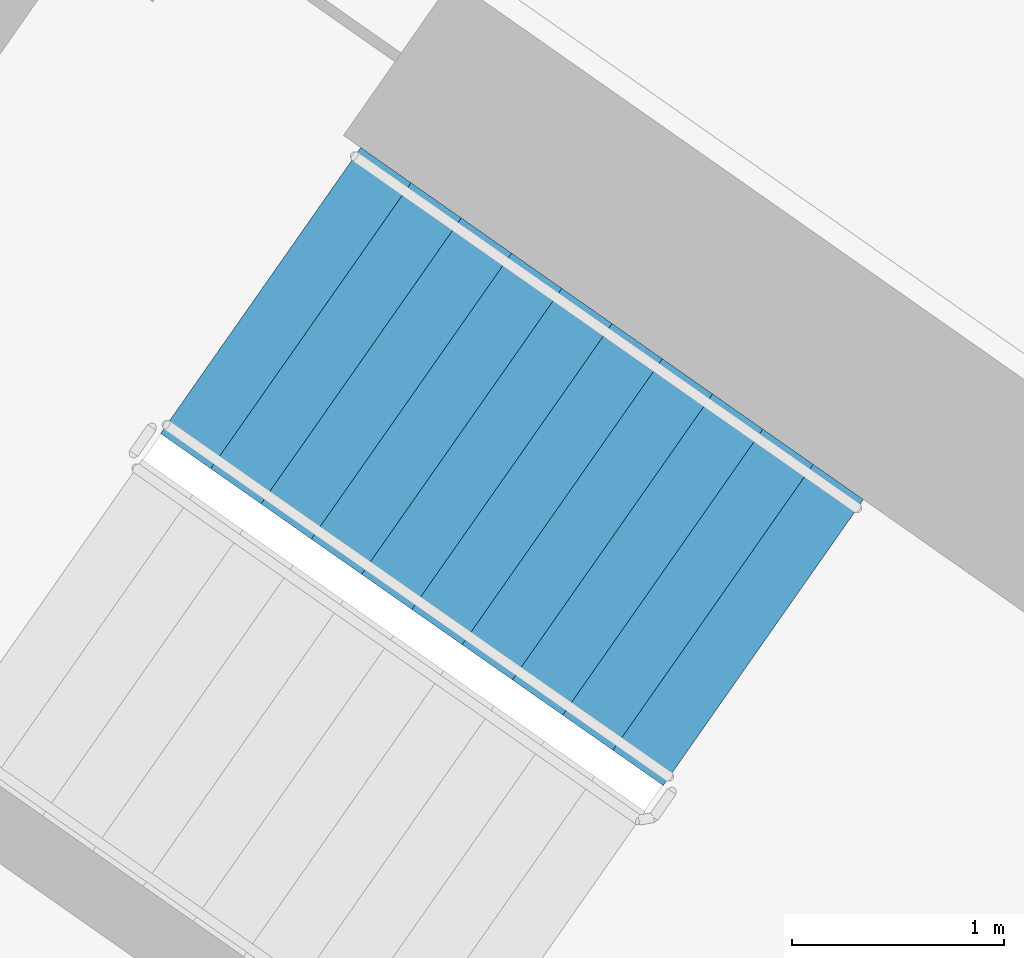
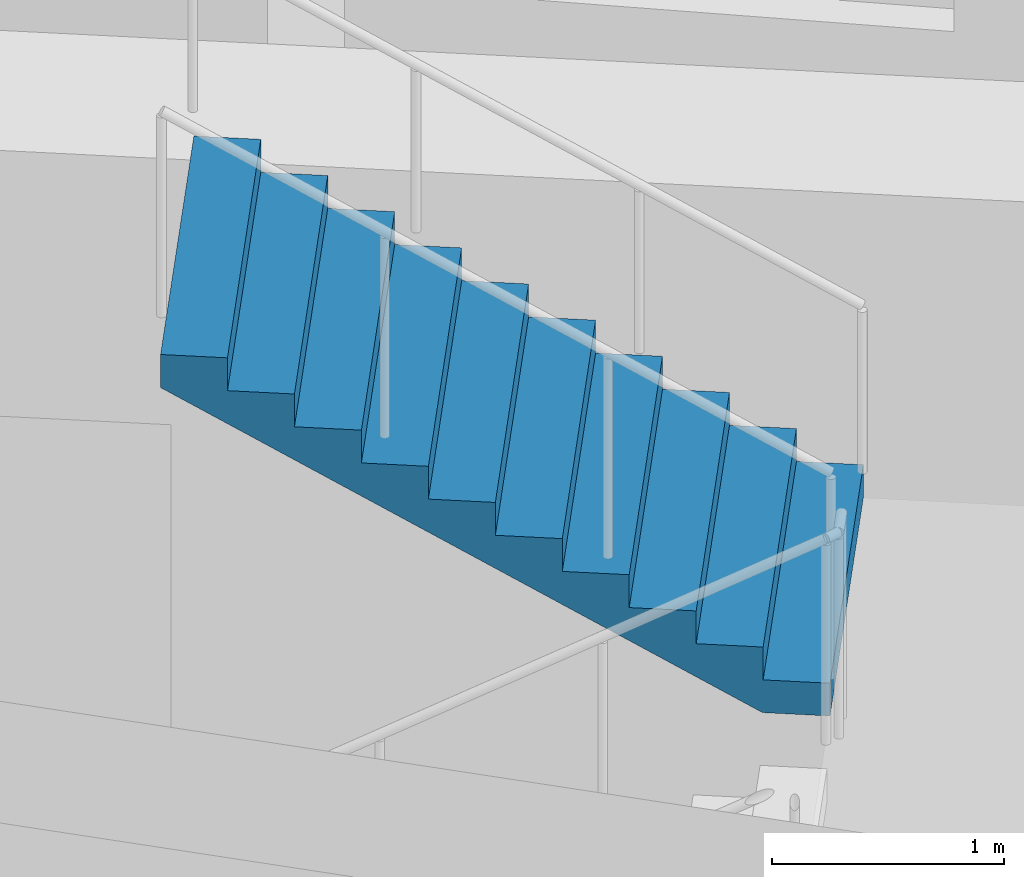
# One storey, part 15 of 32: 1 stair flight, 1 element without a shape of its own.
"""IFC4 building model written with IfcOpenShell, lengths in metres."""

from ifc_helpers import new_model, si_unit, direction, frame, origin, place, context, subcontext, project, spatial, faceted_brep, material, type_object, element, aggregate, save


model = new_model("IFC4")

# Units and contexts
model_context = context("Model", 3, precision=1e-05, world=origin(), true_north=direction((0.0, 1.0)))
body_context = subcontext(model_context, "Body", "Model", "MODEL_VIEW")
ifc_project = project(units=[si_unit("LENGTHUNIT", "METRE"), si_unit("AREAUNIT", "SQUARE_METRE"), si_unit("VOLUMEUNIT", "CUBIC_METRE"), si_unit("PLANEANGLEUNIT", "RADIAN"), si_unit("MASSUNIT", "GRAM", prefix="KILO")], contexts=[model_context])

# Site, building, storey
site_placement = place(None, origin())
site = spatial("IfcSite", under=ifc_project, at=site_placement, CompositionType="ELEMENT")
building_placement = place(site_placement, origin())
building = spatial("IfcBuilding", under=site, at=building_placement, Name="Qamariyya Broadcast Tower", CompositionType="ELEMENT")
storey_placement = place(building_placement, frame((0.0, 0.0, 70.89990234375)))
storey = spatial("IfcBuildingStorey", under=building, at=storey_placement, Name="L14", CompositionType="ELEMENT", Elevation=70.89990234375)

# Stair, stair flight
ifc_material = material(Name="Concrete C50/60", Category="concrete")
stair_type = type_object("IfcStairType", Name="Exit stair 22 risers of 173 mm", PredefinedType="HALF_TURN_STAIR", material=ifc_material)
stair_placement = place(storey_placement, origin())
stair = element("IfcStair", 1, at=stair_placement, inside=storey, type_object=stair_type, Name="L14 Stair W2", PredefinedType="HALF_TURN_STAIR")
stair_flight_type = type_object("IfcStairFlightType", Name="Exit stair flight 11 risers of 173 mm", PredefinedType="STRAIGHT", material=ifc_material)
stair_flight_placement = place(storey_placement, frame((-38.18310546875, -49.3486328125, 1.900146484375), z_axis=(0.0, 0.0, 1.0), x_axis=(-0.819152044289, 0.573576436351, 0.0)))
stair_flight = element("IfcStairFlight", 2, at=stair_flight_placement, type_object=stair_flight_type, Name="ST-W2 flight 2", NumberOfRisers=11, NumberOfTreads=10, PredefinedType="STRAIGHT", RiserHeight=0.172727273, TreadLength=0.29, context=body_context, shape_type="Brep", body=[
    faceted_brep([(0.0, 0.824951171875, 0.0), (0.0, 0.824951171875, 0.172607421875), (0.2900390625, 0.824951171875, 0.172607421875), (0.2900390625, 0.824951171875, 0.345458984375), (0.580078125, 0.824951171875, 0.345458984375), (0.580078125, 0.824951171875, 0.51806640625), (0.8701171875, 0.824951171875, 0.51806640625), (0.8701171875, 0.824951171875, 0.69091796875), (1.159912109375, 0.824951171875, 0.69091796875), (1.159912109375, 0.824951171875, 0.863525390625), (1.449951171875, 0.824951171875, 0.863525390625), (1.449951171875, 0.824951171875, 1.036376953125), (1.739990234375, 0.824951171875, 1.036376953125), (1.739990234375, 0.824951171875, 1.208984375), (2.030029296875, 0.824951171875, 1.208984375), (2.030029296875, 0.824951171875, 1.3818359375), (2.320068359375, 0.824951171875, 1.3818359375), (2.320068359375, 0.824951171875, 1.554443359375), (2.610107421875, 0.824951171875, 1.554443359375), (2.610107421875, 0.824951171875, 1.727294921875), (2.89990234375, 0.824951171875, 1.727294921875), (2.89990234375, 0.824951171875, 1.552734375), (0.29296875, 0.824951171875, 0.0), (0.29296875, -0.824951171875, 0.0), (2.89990234375, -0.824951171875, 1.552734375), (2.89990234375, -0.824951171875, 1.727294921875), (2.610107421875, -0.824951171875, 1.727294921875), (2.610107421875, -0.824951171875, 1.554443359375), (2.320068359375, -0.824951171875, 1.554443359375), (2.320068359375, -0.824951171875, 1.3818359375), (2.030029296875, -0.824951171875, 1.3818359375), (2.030029296875, -0.824951171875, 1.208984375), (1.739990234375, -0.824951171875, 1.208984375), (1.739990234375, -0.824951171875, 1.036376953125), (1.449951171875, -0.824951171875, 1.036376953125), (1.449951171875, -0.824951171875, 0.863525390625), (1.159912109375, -0.824951171875, 0.863525390625), (1.159912109375, -0.824951171875, 0.69091796875), (0.8701171875, -0.824951171875, 0.69091796875), (0.8701171875, -0.824951171875, 0.51806640625), (0.580078125, -0.824951171875, 0.51806640625), (0.580078125, -0.824951171875, 0.345458984375), (0.2900390625, -0.824951171875, 0.345458984375), (0.2900390625, -0.824951171875, 0.172607421875), (0.0, -0.824951171875, 0.172607421875), (0.0, -0.824951171875, 0.0), (0.0, 0.10009765625, 0.0), (0.0, 0.086669921875, 0.0), (0.0, 0.0732421875, 0.0), (0.0, 0.06005859375, 0.0), (0.0, 0.046630859375, 0.0), (0.0, 0.033447265625, 0.0), (0.0, 0.02001953125, 0.0), (0.0, 0.006591796875, 0.0), (0.0, -0.006591796875, 0.0), (0.0, -0.02001953125, 0.0), (0.0, -0.033447265625, 0.0), (0.0, -0.046630859375, 0.0), (0.0, -0.06005859375, 0.0), (0.0, -0.0732421875, 0.0), (0.0, -0.086669921875, 0.0), (0.0, -0.10009765625, 0.0), (0.0, -0.10009765625, 0.172607421875), (0.0, -0.086669921875, 0.172607421875), (0.0, -0.0732421875, 0.172607421875), (0.0, -0.06005859375, 0.172607421875), (0.0, -0.046630859375, 0.172607421875), (0.0, -0.033447265625, 0.172607421875), (0.0, -0.02001953125, 0.172607421875), (0.0, -0.006591796875, 0.172607421875), (0.0, 0.006591796875, 0.172607421875), (0.0, 0.02001953125, 0.172607421875), (0.0, 0.033447265625, 0.172607421875), (0.0, 0.046630859375, 0.172607421875), (0.0, 0.06005859375, 0.172607421875), (0.0, 0.0732421875, 0.172607421875), (0.0, 0.086669921875, 0.172607421875), (0.0, 0.10009765625, 0.172607421875), (0.2900390625, -0.10009765625, 0.172607421875), (0.2900390625, -0.086669921875, 0.172607421875), (0.2900390625, -0.0732421875, 0.172607421875), (0.2900390625, -0.06005859375, 0.172607421875), (0.2900390625, -0.046630859375, 0.172607421875), (0.2900390625, -0.033447265625, 0.172607421875), (0.2900390625, -0.02001953125, 0.172607421875), (0.2900390625, -0.006591796875, 0.172607421875), (0.2900390625, 0.006591796875, 0.172607421875), (0.2900390625, 0.02001953125, 0.172607421875), (0.2900390625, 0.033447265625, 0.172607421875), (0.2900390625, 0.046630859375, 0.172607421875), (0.2900390625, 0.06005859375, 0.172607421875), (0.2900390625, 0.0732421875, 0.172607421875), (0.2900390625, 0.086669921875, 0.172607421875), (0.2900390625, 0.10009765625, 0.172607421875), (0.2900390625, -0.10009765625, 0.345458984375), (0.2900390625, -0.086669921875, 0.345458984375), (0.2900390625, -0.0732421875, 0.345458984375), (0.2900390625, -0.06005859375, 0.345458984375), (0.2900390625, -0.046630859375, 0.345458984375), (0.2900390625, -0.033447265625, 0.345458984375), (0.2900390625, -0.02001953125, 0.345458984375), (0.2900390625, -0.006591796875, 0.345458984375), (0.2900390625, 0.006591796875, 0.345458984375), (0.2900390625, 0.02001953125, 0.345458984375), (0.2900390625, 0.033447265625, 0.345458984375), (0.2900390625, 0.046630859375, 0.345458984375), (0.2900390625, 0.06005859375, 0.345458984375), (0.2900390625, 0.0732421875, 0.345458984375), (0.2900390625, 0.086669921875, 0.345458984375), (0.2900390625, 0.10009765625, 0.345458984375), (0.580078125, -0.10009765625, 0.345458984375), (0.580078125, -0.086669921875, 0.345458984375), (0.580078125, -0.0732421875, 0.345458984375), (0.580078125, -0.06005859375, 0.345458984375), (0.580078125, -0.046630859375, 0.345458984375), (0.580078125, -0.033447265625, 0.345458984375), (0.580078125, -0.02001953125, 0.345458984375), (0.580078125, -0.006591796875, 0.345458984375), (0.580078125, 0.006591796875, 0.345458984375), (0.580078125, 0.02001953125, 0.345458984375), (0.580078125, 0.033447265625, 0.345458984375), (0.580078125, 0.046630859375, 0.345458984375), (0.580078125, 0.06005859375, 0.345458984375), (0.580078125, 0.0732421875, 0.345458984375), (0.580078125, 0.086669921875, 0.345458984375), (0.580078125, 0.10009765625, 0.345458984375), (0.580078125, -0.10009765625, 0.51806640625), (0.580078125, -0.086669921875, 0.51806640625), (0.580078125, -0.0732421875, 0.51806640625), (0.580078125, -0.06005859375, 0.51806640625), (0.580078125, -0.046630859375, 0.51806640625), (0.580078125, -0.033447265625, 0.51806640625), (0.580078125, -0.02001953125, 0.51806640625), (0.580078125, -0.006591796875, 0.51806640625), (0.580078125, 0.006591796875, 0.51806640625), (0.580078125, 0.02001953125, 0.51806640625), (0.580078125, 0.033447265625, 0.51806640625), (0.580078125, 0.046630859375, 0.51806640625), (0.580078125, 0.06005859375, 0.51806640625), (0.580078125, 0.0732421875, 0.51806640625), (0.580078125, 0.086669921875, 0.51806640625), (0.580078125, 0.10009765625, 0.51806640625), (0.8701171875, -0.10009765625, 0.51806640625), (0.8701171875, -0.086669921875, 0.51806640625), (0.8701171875, -0.0732421875, 0.51806640625), (0.8701171875, -0.06005859375, 0.51806640625), (0.8701171875, -0.046630859375, 0.51806640625), (0.8701171875, -0.033447265625, 0.51806640625), (0.8701171875, -0.02001953125, 0.51806640625), (0.8701171875, -0.006591796875, 0.51806640625), (0.8701171875, 0.006591796875, 0.51806640625), (0.8701171875, 0.02001953125, 0.51806640625), (0.8701171875, 0.033447265625, 0.51806640625), (0.8701171875, 0.046630859375, 0.51806640625), (0.8701171875, 0.06005859375, 0.51806640625), (0.8701171875, 0.0732421875, 0.51806640625), (0.8701171875, 0.086669921875, 0.51806640625), (0.8701171875, 0.10009765625, 0.51806640625), (0.8701171875, -0.10009765625, 0.69091796875), (0.8701171875, -0.086669921875, 0.69091796875), (0.8701171875, -0.0732421875, 0.69091796875), (0.8701171875, -0.06005859375, 0.69091796875), (0.8701171875, -0.046630859375, 0.69091796875), (0.8701171875, -0.033447265625, 0.69091796875), (0.8701171875, -0.02001953125, 0.69091796875), (0.8701171875, -0.006591796875, 0.69091796875), (0.8701171875, 0.006591796875, 0.69091796875), (0.8701171875, 0.02001953125, 0.69091796875), (0.8701171875, 0.033447265625, 0.69091796875), (0.8701171875, 0.046630859375, 0.69091796875), (0.8701171875, 0.06005859375, 0.69091796875), (0.8701171875, 0.0732421875, 0.69091796875), (0.8701171875, 0.086669921875, 0.69091796875), (0.8701171875, 0.10009765625, 0.69091796875), (1.159912109375, -0.10009765625, 0.69091796875), (1.159912109375, -0.086669921875, 0.69091796875), (1.159912109375, -0.0732421875, 0.69091796875), (1.159912109375, -0.06005859375, 0.69091796875), (1.159912109375, -0.046630859375, 0.69091796875), (1.159912109375, -0.033447265625, 0.69091796875), (1.159912109375, -0.02001953125, 0.69091796875), (1.159912109375, -0.006591796875, 0.69091796875), (1.159912109375, 0.006591796875, 0.69091796875), (1.159912109375, 0.02001953125, 0.69091796875), (1.159912109375, 0.033447265625, 0.69091796875), (1.159912109375, 0.046630859375, 0.69091796875), (1.159912109375, 0.06005859375, 0.69091796875), (1.159912109375, 0.0732421875, 0.69091796875), (1.159912109375, 0.086669921875, 0.69091796875), (1.159912109375, 0.10009765625, 0.69091796875), (1.159912109375, -0.10009765625, 0.863525390625), (1.159912109375, -0.086669921875, 0.863525390625), (1.159912109375, -0.0732421875, 0.863525390625), (1.159912109375, -0.06005859375, 0.863525390625), (1.159912109375, -0.046630859375, 0.863525390625), (1.159912109375, -0.033447265625, 0.863525390625), (1.159912109375, -0.02001953125, 0.863525390625), (1.159912109375, -0.006591796875, 0.863525390625), (1.159912109375, 0.006591796875, 0.863525390625), (1.159912109375, 0.02001953125, 0.863525390625), (1.159912109375, 0.033447265625, 0.863525390625), (1.159912109375, 0.046630859375, 0.863525390625), (1.159912109375, 0.06005859375, 0.863525390625), (1.159912109375, 0.0732421875, 0.863525390625), (1.159912109375, 0.086669921875, 0.863525390625), (1.159912109375, 0.10009765625, 0.863525390625), (1.449951171875, -0.10009765625, 0.863525390625), (1.449951171875, -0.086669921875, 0.863525390625), (1.449951171875, -0.0732421875, 0.863525390625), (1.449951171875, -0.06005859375, 0.863525390625), (1.449951171875, -0.046630859375, 0.863525390625), (1.449951171875, -0.033447265625, 0.863525390625), (1.449951171875, -0.02001953125, 0.863525390625), (1.449951171875, -0.006591796875, 0.863525390625), (1.449951171875, 0.006591796875, 0.863525390625), (1.449951171875, 0.02001953125, 0.863525390625), (1.449951171875, 0.033447265625, 0.863525390625), (1.449951171875, 0.046630859375, 0.863525390625), (1.449951171875, 0.06005859375, 0.863525390625), (1.449951171875, 0.0732421875, 0.863525390625), (1.449951171875, 0.086669921875, 0.863525390625), (1.449951171875, 0.10009765625, 0.863525390625), (1.449951171875, -0.10009765625, 1.036376953125), (1.449951171875, -0.086669921875, 1.036376953125), (1.449951171875, -0.0732421875, 1.036376953125), (1.449951171875, -0.06005859375, 1.036376953125), (1.449951171875, -0.046630859375, 1.036376953125), (1.449951171875, -0.033447265625, 1.036376953125), (1.449951171875, -0.02001953125, 1.036376953125), (1.449951171875, -0.006591796875, 1.036376953125), (1.449951171875, 0.006591796875, 1.036376953125), (1.449951171875, 0.02001953125, 1.036376953125), (1.449951171875, 0.033447265625, 1.036376953125), (1.449951171875, 0.046630859375, 1.036376953125), (1.449951171875, 0.06005859375, 1.036376953125), (1.449951171875, 0.0732421875, 1.036376953125), (1.449951171875, 0.086669921875, 1.036376953125), (1.449951171875, 0.10009765625, 1.036376953125), (1.739990234375, -0.10009765625, 1.036376953125), (1.739990234375, -0.086669921875, 1.036376953125), (1.739990234375, -0.0732421875, 1.036376953125), (1.739990234375, -0.06005859375, 1.036376953125), (1.739990234375, -0.046630859375, 1.036376953125), (1.739990234375, -0.033447265625, 1.036376953125), (1.739990234375, -0.02001953125, 1.036376953125), (1.739990234375, -0.006591796875, 1.036376953125), (1.739990234375, 0.006591796875, 1.036376953125), (1.739990234375, 0.02001953125, 1.036376953125), (1.739990234375, 0.033447265625, 1.036376953125), (1.739990234375, 0.046630859375, 1.036376953125), (1.739990234375, 0.06005859375, 1.036376953125), (1.739990234375, 0.0732421875, 1.036376953125), (1.739990234375, 0.086669921875, 1.036376953125), (1.739990234375, 0.10009765625, 1.036376953125), (1.739990234375, -0.10009765625, 1.208984375), (1.739990234375, -0.086669921875, 1.208984375), (1.739990234375, -0.0732421875, 1.208984375), (1.739990234375, -0.06005859375, 1.208984375), (1.739990234375, -0.046630859375, 1.208984375), (1.739990234375, -0.033447265625, 1.208984375), (1.739990234375, -0.02001953125, 1.208984375), (1.739990234375, -0.006591796875, 1.208984375), (1.739990234375, 0.006591796875, 1.208984375), (1.739990234375, 0.02001953125, 1.208984375), (1.739990234375, 0.033447265625, 1.208984375), (1.739990234375, 0.046630859375, 1.208984375), (1.739990234375, 0.06005859375, 1.208984375), (1.739990234375, 0.0732421875, 1.208984375), (1.739990234375, 0.086669921875, 1.208984375), (1.739990234375, 0.10009765625, 1.208984375), (2.030029296875, -0.10009765625, 1.208984375), (2.030029296875, -0.086669921875, 1.208984375), (2.030029296875, -0.0732421875, 1.208984375), (2.030029296875, -0.06005859375, 1.208984375), (2.030029296875, -0.046630859375, 1.208984375), (2.030029296875, -0.033447265625, 1.208984375), (2.030029296875, -0.02001953125, 1.208984375), (2.030029296875, -0.006591796875, 1.208984375), (2.030029296875, 0.006591796875, 1.208984375), (2.030029296875, 0.02001953125, 1.208984375), (2.030029296875, 0.033447265625, 1.208984375), (2.030029296875, 0.046630859375, 1.208984375), (2.030029296875, 0.06005859375, 1.208984375), (2.030029296875, 0.0732421875, 1.208984375), (2.030029296875, 0.086669921875, 1.208984375), (2.030029296875, 0.10009765625, 1.208984375), (2.030029296875, -0.10009765625, 1.3818359375), (2.030029296875, -0.086669921875, 1.3818359375), (2.030029296875, -0.0732421875, 1.3818359375), (2.030029296875, -0.06005859375, 1.3818359375), (2.030029296875, -0.046630859375, 1.3818359375), (2.030029296875, -0.033447265625, 1.3818359375), (2.030029296875, -0.02001953125, 1.3818359375), (2.030029296875, -0.006591796875, 1.3818359375), (2.030029296875, 0.006591796875, 1.3818359375), (2.030029296875, 0.02001953125, 1.3818359375), (2.030029296875, 0.033447265625, 1.3818359375), (2.030029296875, 0.046630859375, 1.3818359375), (2.030029296875, 0.06005859375, 1.3818359375), (2.030029296875, 0.0732421875, 1.3818359375), (2.030029296875, 0.086669921875, 1.3818359375), (2.030029296875, 0.10009765625, 1.3818359375), (2.320068359375, -0.10009765625, 1.3818359375), (2.320068359375, -0.086669921875, 1.3818359375), (2.320068359375, -0.0732421875, 1.3818359375), (2.320068359375, -0.06005859375, 1.3818359375), (2.320068359375, -0.046630859375, 1.3818359375), (2.320068359375, -0.033447265625, 1.3818359375), (2.320068359375, -0.02001953125, 1.3818359375), (2.320068359375, -0.006591796875, 1.3818359375), (2.320068359375, 0.006591796875, 1.3818359375), (2.320068359375, 0.02001953125, 1.3818359375), (2.320068359375, 0.033447265625, 1.3818359375), (2.320068359375, 0.046630859375, 1.3818359375), (2.320068359375, 0.06005859375, 1.3818359375), (2.320068359375, 0.0732421875, 1.3818359375), (2.320068359375, 0.086669921875, 1.3818359375), (2.320068359375, 0.10009765625, 1.3818359375), (2.320068359375, -0.10009765625, 1.554443359375), (2.320068359375, -0.086669921875, 1.554443359375), (2.320068359375, -0.0732421875, 1.554443359375), (2.320068359375, -0.06005859375, 1.554443359375), (2.320068359375, -0.046630859375, 1.554443359375), (2.320068359375, -0.033447265625, 1.554443359375), (2.320068359375, -0.02001953125, 1.554443359375), (2.320068359375, -0.006591796875, 1.554443359375), (2.320068359375, 0.006591796875, 1.554443359375), (2.320068359375, 0.02001953125, 1.554443359375), (2.320068359375, 0.033447265625, 1.554443359375), (2.320068359375, 0.046630859375, 1.554443359375), (2.320068359375, 0.06005859375, 1.554443359375), (2.320068359375, 0.0732421875, 1.554443359375), (2.320068359375, 0.086669921875, 1.554443359375), (2.320068359375, 0.10009765625, 1.554443359375), (2.610107421875, -0.10009765625, 1.554443359375), (2.610107421875, -0.086669921875, 1.554443359375), (2.610107421875, -0.0732421875, 1.554443359375), (2.610107421875, -0.06005859375, 1.554443359375), (2.610107421875, -0.046630859375, 1.554443359375), (2.610107421875, -0.033447265625, 1.554443359375), (2.610107421875, -0.02001953125, 1.554443359375), (2.610107421875, -0.006591796875, 1.554443359375), (2.610107421875, 0.006591796875, 1.554443359375), (2.610107421875, 0.02001953125, 1.554443359375), (2.610107421875, 0.033447265625, 1.554443359375), (2.610107421875, 0.046630859375, 1.554443359375), (2.610107421875, 0.06005859375, 1.554443359375), (2.610107421875, 0.0732421875, 1.554443359375), (2.610107421875, 0.086669921875, 1.554443359375), (2.610107421875, 0.10009765625, 1.554443359375), (2.610107421875, -0.10009765625, 1.727294921875), (2.610107421875, -0.086669921875, 1.727294921875), (2.610107421875, -0.0732421875, 1.727294921875), (2.610107421875, -0.06005859375, 1.727294921875), (2.610107421875, -0.046630859375, 1.727294921875), (2.610107421875, -0.033447265625, 1.727294921875), (2.610107421875, -0.02001953125, 1.727294921875), (2.610107421875, -0.006591796875, 1.727294921875), (2.610107421875, 0.006591796875, 1.727294921875), (2.610107421875, 0.02001953125, 1.727294921875), (2.610107421875, 0.033447265625, 1.727294921875), (2.610107421875, 0.046630859375, 1.727294921875), (2.610107421875, 0.06005859375, 1.727294921875), (2.610107421875, 0.0732421875, 1.727294921875), (2.610107421875, 0.086669921875, 1.727294921875), (2.610107421875, 0.10009765625, 1.727294921875), (2.89990234375, -0.10009765625, 1.727294921875), (2.89990234375, -0.086669921875, 1.727294921875), (2.89990234375, -0.0732421875, 1.727294921875), (2.89990234375, -0.06005859375, 1.727294921875), (2.89990234375, -0.046630859375, 1.727294921875), (2.89990234375, -0.033447265625, 1.727294921875), (2.89990234375, -0.02001953125, 1.727294921875), (2.89990234375, -0.006591796875, 1.727294921875), (2.89990234375, 0.006591796875, 1.727294921875), (2.89990234375, 0.02001953125, 1.727294921875), (2.89990234375, 0.033447265625, 1.727294921875), (2.89990234375, 0.046630859375, 1.727294921875), (2.89990234375, 0.06005859375, 1.727294921875), (2.89990234375, 0.0732421875, 1.727294921875), (2.89990234375, 0.086669921875, 1.727294921875), (2.89990234375, 0.10009765625, 1.727294921875), (2.89990234375, -0.10009765625, 1.552734375), (2.89990234375, -0.086669921875, 1.552734375), (2.89990234375, -0.0732421875, 1.552734375), (2.89990234375, -0.06005859375, 1.552734375), (2.89990234375, -0.046630859375, 1.552734375), (2.89990234375, -0.033447265625, 1.552734375), (2.89990234375, -0.02001953125, 1.552734375), (2.89990234375, -0.006591796875, 1.552734375), (2.89990234375, 0.006591796875, 1.552734375), (2.89990234375, 0.02001953125, 1.552734375), (2.89990234375, 0.033447265625, 1.552734375), (2.89990234375, 0.046630859375, 1.552734375), (2.89990234375, 0.06005859375, 1.552734375), (2.89990234375, 0.0732421875, 1.552734375), (2.89990234375, 0.086669921875, 1.552734375), (2.89990234375, 0.10009765625, 1.552734375), (0.29296875, -0.10009765625, 0.0), (0.29296875, -0.086669921875, 0.0), (0.29296875, -0.0732421875, 0.0), (0.29296875, -0.06005859375, 0.0), (0.29296875, -0.046630859375, 0.0), (0.29296875, -0.033447265625, 0.0), (0.29296875, -0.02001953125, 0.0), (0.29296875, -0.006591796875, 0.0), (0.29296875, 0.006591796875, 0.0), (0.29296875, 0.02001953125, 0.0), (0.29296875, 0.033447265625, 0.0), (0.29296875, 0.046630859375, 0.0), (0.29296875, 0.06005859375, 0.0), (0.29296875, 0.0732421875, 0.0), (0.29296875, 0.086669921875, 0.0), (0.29296875, 0.10009765625, 0.0)], [[[0, 1, 2, 3, 4, 5, 6, 7, 8, 9, 10, 11, 12, 13, 14, 15, 16, 17, 18, 19, 20, 21, 22]], [[23, 24, 25, 26, 27, 28, 29, 30, 31, 32, 33, 34, 35, 36, 37, 38, 39, 40, 41, 42, 43, 44, 45]], [[0, 46, 47, 48, 49, 50, 51, 52, 53, 54, 55, 56, 57, 58, 59, 60, 61, 45, 44, 62, 63, 64, 65, 66, 67, 68, 69, 70, 71, 72, 73, 74, 75, 76, 77, 1]], [[1, 77, 76, 75, 74, 73, 72, 71, 70, 69, 68, 67, 66, 65, 64, 63, 62, 44, 43, 78, 79, 80, 81, 82, 83, 84, 85, 86, 87, 88, 89, 90, 91, 92, 93, 2]], [[2, 93, 92, 91, 90, 89, 88, 87, 86, 85, 84, 83, 82, 81, 80, 79, 78, 43, 42, 94, 95, 96, 97, 98, 99, 100, 101, 102, 103, 104, 105, 106, 107, 108, 109, 3]], [[3, 109, 108, 107, 106, 105, 104, 103, 102, 101, 100, 99, 98, 97, 96, 95, 94, 42, 41, 110, 111, 112, 113, 114, 115, 116, 117, 118, 119, 120, 121, 122, 123, 124, 125, 4]], [[4, 125, 124, 123, 122, 121, 120, 119, 118, 117, 116, 115, 114, 113, 112, 111, 110, 41, 40, 126, 127, 128, 129, 130, 131, 132, 133, 134, 135, 136, 137, 138, 139, 140, 141, 5]], [[5, 141, 140, 139, 138, 137, 136, 135, 134, 133, 132, 131, 130, 129, 128, 127, 126, 40, 39, 142, 143, 144, 145, 146, 147, 148, 149, 150, 151, 152, 153, 154, 155, 156, 157, 6]], [[6, 157, 156, 155, 154, 153, 152, 151, 150, 149, 148, 147, 146, 145, 144, 143, 142, 39, 38, 158, 159, 160, 161, 162, 163, 164, 165, 166, 167, 168, 169, 170, 171, 172, 173, 7]], [[7, 173, 172, 171, 170, 169, 168, 167, 166, 165, 164, 163, 162, 161, 160, 159, 158, 38, 37, 174, 175, 176, 177, 178, 179, 180, 181, 182, 183, 184, 185, 186, 187, 188, 189, 8]], [[8, 189, 188, 187, 186, 185, 184, 183, 182, 181, 180, 179, 178, 177, 176, 175, 174, 37, 36, 190, 191, 192, 193, 194, 195, 196, 197, 198, 199, 200, 201, 202, 203, 204, 205, 9]], [[9, 205, 204, 203, 202, 201, 200, 199, 198, 197, 196, 195, 194, 193, 192, 191, 190, 36, 35, 206, 207, 208, 209, 210, 211, 212, 213, 214, 215, 216, 217, 218, 219, 220, 221, 10]], [[10, 221, 220, 219, 218, 217, 216, 215, 214, 213, 212, 211, 210, 209, 208, 207, 206, 35, 34, 222, 223, 224, 225, 226, 227, 228, 229, 230, 231, 232, 233, 234, 235, 236, 237, 11]], [[11, 237, 236, 235, 234, 233, 232, 231, 230, 229, 228, 227, 226, 225, 224, 223, 222, 34, 33, 238, 239, 240, 241, 242, 243, 244, 245, 246, 247, 248, 249, 250, 251, 252, 253, 12]], [[12, 253, 252, 251, 250, 249, 248, 247, 246, 245, 244, 243, 242, 241, 240, 239, 238, 33, 32, 254, 255, 256, 257, 258, 259, 260, 261, 262, 263, 264, 265, 266, 267, 268, 269, 13]], [[13, 269, 268, 267, 266, 265, 264, 263, 262, 261, 260, 259, 258, 257, 256, 255, 254, 32, 31, 270, 271, 272, 273, 274, 275, 276, 277, 278, 279, 280, 281, 282, 283, 284, 285, 14]], [[14, 285, 284, 283, 282, 281, 280, 279, 278, 277, 276, 275, 274, 273, 272, 271, 270, 31, 30, 286, 287, 288, 289, 290, 291, 292, 293, 294, 295, 296, 297, 298, 299, 300, 301, 15]], [[15, 301, 300, 299, 298, 297, 296, 295, 294, 293, 292, 291, 290, 289, 288, 287, 286, 30, 29, 302, 303, 304, 305, 306, 307, 308, 309, 310, 311, 312, 313, 314, 315, 316, 317, 16]], [[16, 317, 316, 315, 314, 313, 312, 311, 310, 309, 308, 307, 306, 305, 304, 303, 302, 29, 28, 318, 319, 320, 321, 322, 323, 324, 325, 326, 327, 328, 329, 330, 331, 332, 333, 17]], [[17, 333, 332, 331, 330, 329, 328, 327, 326, 325, 324, 323, 322, 321, 320, 319, 318, 28, 27, 334, 335, 336, 337, 338, 339, 340, 341, 342, 343, 344, 345, 346, 347, 348, 349, 18]], [[18, 349, 348, 347, 346, 345, 344, 343, 342, 341, 340, 339, 338, 337, 336, 335, 334, 27, 26, 350, 351, 352, 353, 354, 355, 356, 357, 358, 359, 360, 361, 362, 363, 364, 365, 19]], [[19, 365, 364, 363, 362, 361, 360, 359, 358, 357, 356, 355, 354, 353, 352, 351, 350, 26, 25, 366, 367, 368, 369, 370, 371, 372, 373, 374, 375, 376, 377, 378, 379, 380, 381, 20]], [[20, 381, 380, 379, 378, 377, 376, 375, 374, 373, 372, 371, 370, 369, 368, 367, 366, 25, 24, 382, 383, 384, 385, 386, 387, 388, 389, 390, 391, 392, 393, 394, 395, 396, 397, 21]], [[21, 397, 396, 395, 394, 393, 392, 391, 390, 389, 388, 387, 386, 385, 384, 383, 382, 24, 23, 398, 399, 400, 401, 402, 403, 404, 405, 406, 407, 408, 409, 410, 411, 412, 413, 22]], [[22, 413, 412, 411, 410, 409, 408, 407, 406, 405, 404, 403, 402, 401, 400, 399, 398, 23, 45, 61, 60, 59, 58, 57, 56, 55, 54, 53, 52, 51, 50, 49, 48, 47, 46, 0]]]),
])
aggregate(stair, [stair_flight])

save(model, "model.ifc")
